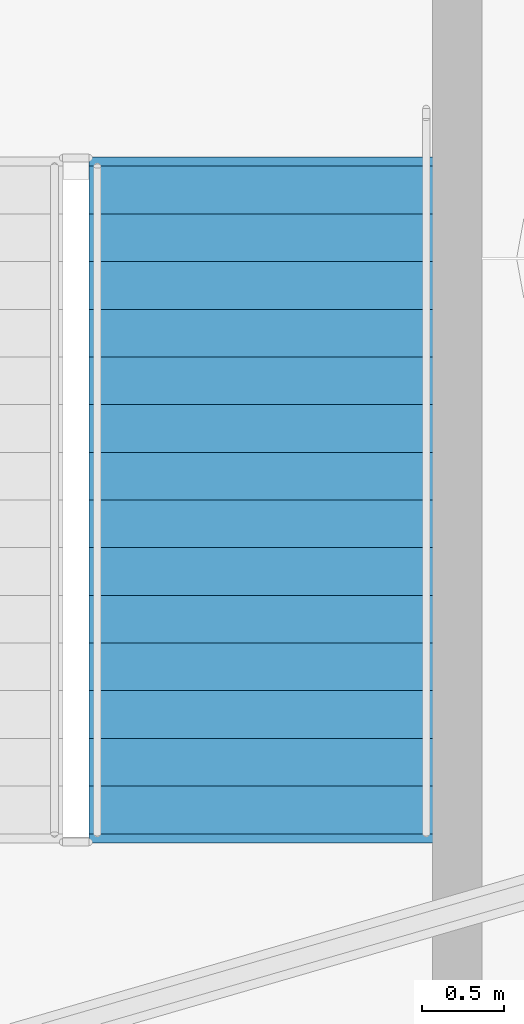
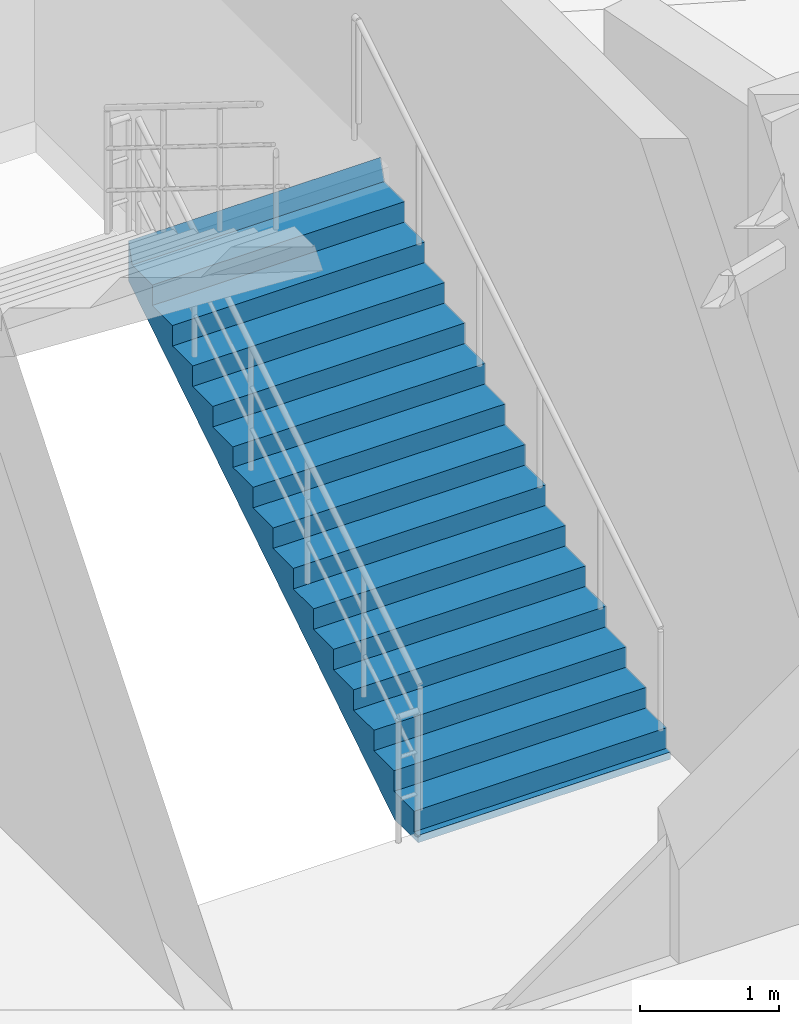
# One storey, part 69 of 93: 1 stair flight, 1 element without a shape of its own.
"""IFC4 building model written with IfcOpenShell, lengths in metres."""

from ifc_helpers import new_model, si_unit, direction, frame, origin, place, context, subcontext, project, spatial, polyline, outline, extrude, material, type_object, element, aggregate, save


model = new_model("IFC4")

# Units and contexts
model_context = context("Model", 3, precision=1e-05, world=origin(), true_north=direction((0.0, 1.0)))
body_context = subcontext(model_context, "Body", "Model", "MODEL_VIEW")
ifc_project = project(units=[si_unit("LENGTHUNIT", "METRE"), si_unit("AREAUNIT", "SQUARE_METRE"), si_unit("VOLUMEUNIT", "CUBIC_METRE"), si_unit("PLANEANGLEUNIT", "RADIAN"), si_unit("MASSUNIT", "GRAM", prefix="KILO")], contexts=[model_context])

# Site, building, storey
site_placement = place(None, origin())
site = spatial("IfcSite", under=ifc_project, at=site_placement, CompositionType="ELEMENT")
building_placement = place(site_placement, origin())
building = spatial("IfcBuilding", under=site, at=building_placement, Name="Cinderbank Siding Concert Hall", CompositionType="ELEMENT")
storey_placement = place(building_placement, origin())
storey = spatial("IfcBuildingStorey", under=building, at=storey_placement, Name="L01", CompositionType="ELEMENT", Elevation=0.0)

# Stair, stair flight
ifc_material = material(Name="Reinforced concrete AS 3600 N50 (50 MPa)", Category="concrete")
stair_type = type_object("IfcStairType", Name="STR-D Dogleg Exit Stair 2100mm", PredefinedType="HALF_TURN_STAIR", material=ifc_material)
stair_placement = place(storey_placement, origin())
stair = element("IfcStair", 1, at=stair_placement, inside=storey, type_object=stair_type, Name="L01 West Drum Exit Stair ST-04", PredefinedType="HALF_TURN_STAIR")
stair_flight_type = type_object("IfcStairFlightType", Name="SFL-D Concrete Stair Flight 2100mm", PredefinedType="STRAIGHT", material=ifc_material)
stair_flight_placement = place(storey_placement, frame((100.85009765625, 40.5, 0.0), z_axis=(0.0, 0.0, 1.0), x_axis=(0.0, 1.0, 0.0)))
stair_flight = element("IfcStairFlight", 2, at=stair_flight_placement, type_object=stair_flight_type, Name="ST-04 flight 1", NumberOfRisers=15, NumberOfTreads=14, PredefinedType="STRAIGHT", RiserHeight=0.18, TreadLength=0.29, context=body_context, shape_type="SweptSolid", body=[
    extrude(outline(polyline([(0.0, 0.0), (0.0, 0.179931640625), (0.2900390625, 0.179931640625), (0.2900390625, 0.360107421875), (0.580078125, 0.360107421875), (0.580078125, 0.5400390625), (0.8701171875, 0.5400390625), (0.8701171875, 0.719970703125), (1.159912109375, 0.719970703125), (1.159912109375, 0.89990234375), (1.449951171875, 0.89990234375), (1.449951171875, 1.080078125), (1.739990234375, 1.080078125), (1.739990234375, 1.260009765625), (2.030029296875, 1.260009765625), (2.030029296875, 1.43994140625), (2.320068359375, 1.43994140625), (2.320068359375, 1.6201171875), (2.610107421875, 1.6201171875), (2.610107421875, 1.800048828125), (2.89990234375, 1.800048828125), (2.89990234375, 1.97998046875), (3.18994140625, 1.97998046875), (3.18994140625, 2.159912109375), (3.47998046875, 2.159912109375), (3.47998046875, 2.340087890625), (3.77001953125, 2.340087890625), (3.77001953125, 2.52001953125), (4.06005859375, 2.52001953125), (4.114990234375, 2.699951171875), (4.114990234375, 2.343505859375), (4.11474609375, 2.34375), (4.11474609375, 2.343994140625), (4.11474609375, 2.34423828125), (4.11474609375, 2.344482421875), (4.11474609375, 2.3447265625), (4.11474609375, 2.344970703125), (4.11474609375, 2.34521484375), (4.11474609375, 2.345458984375), (4.11474609375, 2.345703125), (4.11474609375, 2.345947265625), (4.11474609375, 2.34619140625), (4.11474609375, 2.346435546875), (4.114501953125, 2.346435546875), (4.114501953125, 2.34619140625), (4.114501953125, 2.345947265625), (4.114501953125, 2.345703125), (4.114501953125, 2.345458984375), (4.114501953125, 2.34521484375), (4.114501953125, 2.344970703125), (4.114501953125, 2.3447265625), (4.114501953125, 2.344482421875), (4.114501953125, 2.34423828125), (4.114501953125, 2.343994140625), (4.114501953125, 2.34375), (4.114501953125, 2.343505859375), (4.1142578125, 2.34375), (4.1142578125, 2.343994140625), (4.1142578125, 2.34423828125), (4.1142578125, 2.344482421875), (4.1142578125, 2.3447265625), (4.1142578125, 2.344970703125), (4.1142578125, 2.34521484375), (4.1142578125, 2.345458984375), (4.1142578125, 2.345703125), (4.1142578125, 2.345947265625), (4.1142578125, 2.34619140625), (4.1142578125, 2.346435546875), (4.114013671875, 2.346435546875), (4.114013671875, 2.34619140625), (4.114013671875, 2.345947265625), (4.114013671875, 2.345703125), (4.114013671875, 2.345458984375), (4.114013671875, 2.34521484375), (4.114013671875, 2.344970703125), (4.114013671875, 2.3447265625), (4.114013671875, 2.344482421875), (4.114013671875, 2.34423828125), (4.114013671875, 2.343994140625), (4.114013671875, 2.34375), (4.114013671875, 2.343505859375), (4.11376953125, 2.34375), (4.11376953125, 2.343994140625), (4.11376953125, 2.34423828125), (4.11376953125, 2.344482421875), (4.11376953125, 2.3447265625), (4.11376953125, 2.344970703125), (4.11376953125, 2.34521484375), (4.11376953125, 2.345458984375), (4.11376953125, 2.345703125), (4.11376953125, 2.345947265625), (4.11376953125, 2.34619140625), (4.11376953125, 2.346435546875), (4.113525390625, 2.346435546875), (4.113525390625, 2.34619140625), (4.113525390625, 2.345947265625), (4.113525390625, 2.345703125), (4.113525390625, 2.345458984375), (4.113525390625, 2.34521484375), (4.113525390625, 2.344970703125), (4.113525390625, 2.3447265625), (4.113525390625, 2.344482421875), (4.113525390625, 2.34423828125), (4.113525390625, 2.343994140625), (4.113525390625, 2.34375), (4.113525390625, 2.343505859375), (4.11328125, 2.34375), (4.11328125, 2.343994140625), (4.11328125, 2.34423828125), (4.11328125, 2.344482421875), (4.11328125, 2.3447265625), (4.11328125, 2.344970703125), (4.11328125, 2.34521484375), (4.11328125, 2.345458984375), (4.11328125, 2.345703125), (4.11328125, 2.345947265625), (4.11328125, 2.34619140625), (4.11328125, 2.346435546875), (4.113037109375, 2.346435546875), (4.113037109375, 2.34619140625), (4.113037109375, 2.345947265625), (4.113037109375, 2.345703125), (4.113037109375, 2.345458984375), (4.113037109375, 2.34521484375), (4.113037109375, 2.344970703125), (4.113037109375, 2.3447265625), (4.113037109375, 2.344482421875), (4.113037109375, 2.34423828125), (4.113037109375, 2.343994140625), (4.113037109375, 2.34375), (4.113037109375, 2.343505859375), (4.11279296875, 2.34375), (4.11279296875, 2.343994140625), (4.11279296875, 2.34423828125), (4.11279296875, 2.344482421875), (4.11279296875, 2.3447265625), (4.11279296875, 2.344970703125), (4.11279296875, 2.34521484375), (4.11279296875, 2.345458984375), (4.11279296875, 2.345703125), (4.11279296875, 2.345947265625), (4.11279296875, 2.34619140625), (4.11279296875, 2.346435546875), (4.112548828125, 2.346435546875), (4.112548828125, 2.34619140625), (4.112548828125, 2.345947265625), (4.112548828125, 2.345703125), (4.112548828125, 2.345458984375), (4.112548828125, 2.34521484375), (4.112548828125, 2.344970703125), (4.112548828125, 2.3447265625), (4.112548828125, 2.344482421875), (4.112548828125, 2.34423828125), (4.112548828125, 2.343994140625), (4.112548828125, 2.34375), (4.112548828125, 2.343505859375), (4.1123046875, 2.34375), (4.1123046875, 2.343994140625), (4.1123046875, 2.34423828125), (4.1123046875, 2.344482421875), (4.1123046875, 2.3447265625), (4.1123046875, 2.344970703125), (4.1123046875, 2.34521484375), (4.1123046875, 2.345458984375), (4.1123046875, 2.345703125), (4.1123046875, 2.345947265625), (4.1123046875, 2.34619140625), (4.1123046875, 2.346435546875), (4.112060546875, 2.346435546875), (4.112060546875, 2.34619140625), (4.112060546875, 2.345947265625), (4.112060546875, 2.345703125), (4.112060546875, 2.345458984375), (4.112060546875, 2.34521484375), (4.112060546875, 2.344970703125), (4.112060546875, 2.3447265625), (4.112060546875, 2.344482421875), (4.112060546875, 2.34423828125), (4.112060546875, 2.343994140625), (4.112060546875, 2.34375), (4.112060546875, 2.343505859375), (4.11181640625, 2.34375), (4.11181640625, 2.343994140625), (4.11181640625, 2.34423828125), (4.11181640625, 2.344482421875), (4.11181640625, 2.3447265625), (4.11181640625, 2.344970703125), (4.11181640625, 2.34521484375), (4.11181640625, 2.345458984375), (4.11181640625, 2.345703125), (4.11181640625, 2.345947265625), (4.11181640625, 2.34619140625), (4.11181640625, 2.346435546875), (4.111572265625, 2.346435546875), (4.111572265625, 2.34619140625), (4.111572265625, 2.345947265625), (4.111572265625, 2.345703125), (4.111572265625, 2.345458984375), (4.111572265625, 2.34521484375), (4.111572265625, 2.344970703125), (4.111572265625, 2.3447265625), (4.111572265625, 2.344482421875), (4.111572265625, 2.34423828125), (4.111572265625, 2.343994140625), (4.111572265625, 2.34375), (4.111572265625, 2.343505859375), (4.111328125, 2.34375), (4.111328125, 2.343994140625), (4.111328125, 2.34423828125), (4.111328125, 2.344482421875), (4.111328125, 2.3447265625), (4.111328125, 2.344970703125), (4.111328125, 2.34521484375), (4.111328125, 2.345458984375), (4.111328125, 2.345703125), (4.111328125, 2.345947265625), (4.111328125, 2.34619140625), (4.111328125, 2.346435546875), (4.111083984375, 2.346435546875), (4.111083984375, 2.34619140625), (4.111083984375, 2.345947265625), (4.111083984375, 2.345703125), (4.111083984375, 2.345458984375), (4.111083984375, 2.34521484375), (4.111083984375, 2.344970703125), (4.111083984375, 2.3447265625), (4.111083984375, 2.344482421875), (4.111083984375, 2.34423828125), (4.111083984375, 2.343994140625), (4.111083984375, 2.34375), (4.111083984375, 2.343505859375), (4.11083984375, 2.34375), (4.11083984375, 2.343994140625), (4.11083984375, 2.34423828125), (4.11083984375, 2.344482421875), (4.11083984375, 2.3447265625), (4.11083984375, 2.344970703125), (4.11083984375, 2.34521484375), (4.11083984375, 2.345458984375), (4.11083984375, 2.345703125), (4.11083984375, 2.345947265625), (4.11083984375, 2.34619140625), (4.11083984375, 2.346435546875), (4.110595703125, 2.346435546875), (4.110595703125, 2.34619140625), (4.110595703125, 2.345947265625), (4.110595703125, 2.345703125), (4.110595703125, 2.345458984375), (4.110595703125, 2.34521484375), (4.110595703125, 2.344970703125), (4.110595703125, 2.3447265625), (4.110595703125, 2.344482421875), (4.110595703125, 2.34423828125), (4.110595703125, 2.343994140625), (4.110595703125, 2.34375), (4.110595703125, 2.343505859375), (4.1103515625, 2.34375), (4.1103515625, 2.343994140625), (4.1103515625, 2.34423828125), (4.1103515625, 2.344482421875), (4.1103515625, 2.3447265625), (4.1103515625, 2.344970703125), (4.1103515625, 2.34521484375), (4.1103515625, 2.345458984375), (4.1103515625, 2.345703125), (4.1103515625, 2.345947265625), (4.1103515625, 2.34619140625), (4.1103515625, 2.346435546875), (4.110107421875, 2.346435546875), (4.110107421875, 2.34619140625), (4.110107421875, 2.345947265625), (4.110107421875, 2.345703125), (4.110107421875, 2.345458984375), (4.110107421875, 2.34521484375), (4.110107421875, 2.344970703125), (4.110107421875, 2.3447265625), (4.110107421875, 2.344482421875), (4.110107421875, 2.34423828125), (4.110107421875, 2.343994140625), (4.110107421875, 2.34375), (4.110107421875, 2.343505859375), (4.10986328125, 2.34375), (4.10986328125, 2.343994140625), (4.10986328125, 2.34423828125), (4.10986328125, 2.344482421875), (4.10986328125, 2.3447265625), (4.10986328125, 2.344970703125), (4.10986328125, 2.34521484375), (4.10986328125, 2.345458984375), (4.10986328125, 2.345703125), (4.10986328125, 2.345947265625), (4.10986328125, 2.34619140625), (4.10986328125, 2.346435546875), (4.109619140625, 2.346435546875), (4.109619140625, 2.34619140625), (4.109619140625, 2.345947265625), (4.109619140625, 2.345703125), (4.109619140625, 2.345458984375), (4.109619140625, 2.34521484375), (4.109619140625, 2.344970703125), (4.109619140625, 2.3447265625), (4.109619140625, 2.344482421875), (4.109619140625, 2.34423828125), (4.109619140625, 2.343994140625), (4.109619140625, 2.34375), (4.109619140625, 2.343505859375), (4.109375, 2.34375), (4.109375, 2.343994140625), (4.109375, 2.34423828125), (4.109375, 2.344482421875), (4.109375, 2.3447265625), (4.109375, 2.344970703125), (4.109375, 2.34521484375), (4.109375, 2.345458984375), (4.109375, 2.345703125), (4.109375, 2.345947265625), (4.109375, 2.34619140625), (4.109375, 2.346435546875), (4.109130859375, 2.346435546875), (4.109130859375, 2.34619140625), (4.109130859375, 2.345947265625), (4.109130859375, 2.345703125), (4.109130859375, 2.345458984375), (4.109130859375, 2.34521484375), (4.109130859375, 2.344970703125), (4.109130859375, 2.3447265625), (4.109130859375, 2.344482421875), (4.109130859375, 2.34423828125), (4.109130859375, 2.343994140625), (4.109130859375, 2.34375), (4.109130859375, 2.343505859375), (4.10888671875, 2.34375), (4.10888671875, 2.343994140625), (4.10888671875, 2.34423828125), (4.10888671875, 2.344482421875), (4.10888671875, 2.3447265625), (4.10888671875, 2.344970703125), (4.10888671875, 2.34521484375), (4.10888671875, 2.345458984375), (4.10888671875, 2.345703125), (4.10888671875, 2.345947265625), (4.10888671875, 2.34619140625), (4.10888671875, 2.346435546875), (4.108642578125, 2.346435546875), (4.108642578125, 2.34619140625), (4.108642578125, 2.345947265625), (4.108642578125, 2.345703125), (4.108642578125, 2.345458984375), (4.108642578125, 2.34521484375), (4.108642578125, 2.344970703125), (4.108642578125, 2.3447265625), (4.108642578125, 2.344482421875), (4.108642578125, 2.34423828125), (4.108642578125, 2.343994140625), (4.108642578125, 2.34375), (4.108642578125, 2.343505859375), (0.2841796875, -0.06396484375), (-0.048583984375, -0.063720703125), (-0.048583984375, -0.0634765625), (-0.048583984375, -0.063232421875), (-0.048583984375, -0.06298828125), (-0.048583984375, -0.062744140625), (-0.048583984375, -0.0625), (-0.048583984375, -0.062255859375), (-0.048583984375, -0.06201171875), (-0.048583984375, -0.061767578125), (-0.048583984375, -0.0615234375), (-0.048583984375, -0.061279296875), (-0.048583984375, -0.06103515625), (-0.048828125, -0.06103515625), (-0.048828125, -0.061279296875), (-0.048828125, -0.0615234375), (-0.048828125, -0.061767578125), (-0.048828125, -0.06201171875), (-0.048828125, -0.062255859375), (-0.048828125, -0.0625), (-0.048828125, -0.062744140625), (-0.048828125, -0.06298828125), (-0.048828125, -0.063232421875), (-0.048828125, -0.0634765625), (-0.048828125, -0.063720703125), (-0.048828125, -0.06396484375), (-0.049072265625, -0.063720703125), (-0.049072265625, -0.0634765625), (-0.049072265625, -0.063232421875), (-0.049072265625, -0.06298828125), (-0.049072265625, -0.062744140625), (-0.049072265625, -0.0625), (-0.049072265625, -0.062255859375), (-0.049072265625, -0.06201171875), (-0.049072265625, -0.061767578125), (-0.049072265625, -0.0615234375), (-0.049072265625, -0.061279296875), (-0.049072265625, -0.06103515625), (-0.04931640625, -0.06103515625), (-0.04931640625, -0.061279296875), (-0.04931640625, -0.0615234375), (-0.04931640625, -0.061767578125), (-0.04931640625, -0.06201171875), (-0.04931640625, -0.062255859375), (-0.04931640625, -0.0625), (-0.04931640625, -0.062744140625), (-0.04931640625, -0.06298828125), (-0.04931640625, -0.063232421875), (-0.04931640625, -0.0634765625), (-0.04931640625, -0.063720703125), (-0.04931640625, -0.06396484375), (-0.049560546875, -0.063720703125), (-0.049560546875, -0.0634765625), (-0.049560546875, -0.063232421875), (-0.049560546875, -0.06298828125), (-0.049560546875, -0.062744140625), (-0.049560546875, -0.0625), (-0.049560546875, -0.062255859375), (-0.049560546875, -0.06201171875), (-0.049560546875, -0.061767578125), (-0.049560546875, -0.0615234375), (-0.049560546875, -0.061279296875), (-0.049560546875, -0.06103515625), (-0.0498046875, -0.06103515625), (-0.0498046875, -0.061279296875), (-0.0498046875, -0.0615234375), (-0.0498046875, -0.061767578125), (-0.0498046875, -0.06201171875), (-0.0498046875, -0.062255859375), (-0.0498046875, -0.0625), (-0.0498046875, -0.062744140625), (-0.0498046875, -0.06298828125), (-0.0498046875, -0.063232421875), (-0.0498046875, -0.0634765625), (-0.0498046875, -0.063720703125), (-0.0498046875, -0.06396484375), (-0.050048828125, -0.063720703125), (-0.050048828125, -0.0634765625), (-0.050048828125, -0.063232421875), (-0.050048828125, -0.06298828125), (-0.050048828125, -0.062744140625), (-0.050048828125, -0.0625), (-0.050048828125, -0.062255859375), (-0.050048828125, -0.06201171875), (-0.050048828125, -0.061767578125), (-0.050048828125, -0.0615234375), (-0.050048828125, -0.061279296875), (-0.050048828125, -0.06103515625), (-0.05029296875, -0.06103515625), (-0.05029296875, -0.061279296875), (-0.05029296875, -0.0615234375), (-0.05029296875, -0.061767578125), (-0.05029296875, -0.06201171875), (-0.05029296875, -0.062255859375), (-0.05029296875, -0.0625), (-0.05029296875, -0.062744140625), (-0.05029296875, -0.06298828125), (-0.05029296875, -0.063232421875), (-0.05029296875, -0.0634765625), (-0.05029296875, -0.063720703125), (-0.05029296875, -0.06396484375), (-0.050537109375, -0.063720703125), (-0.050537109375, -0.0634765625), (-0.050537109375, -0.063232421875), (-0.050537109375, -0.06298828125), (-0.050537109375, -0.062744140625), (-0.050537109375, -0.0625), (-0.050537109375, -0.062255859375), (-0.050537109375, -0.06201171875), (-0.050537109375, -0.061767578125), (-0.050537109375, -0.0615234375), (-0.050537109375, -0.061279296875), (-0.050537109375, -0.06103515625), (-0.05078125, -0.06103515625), (-0.05078125, -0.061279296875), (-0.05078125, -0.0615234375), (-0.05078125, -0.061767578125), (-0.05078125, -0.06201171875), (-0.05078125, -0.062255859375), (-0.05078125, -0.0625), (-0.05078125, -0.062744140625), (-0.05078125, -0.06298828125), (-0.05078125, -0.063232421875), (-0.05078125, -0.0634765625), (-0.05078125, -0.063720703125), (-0.05078125, -0.06396484375), (-0.051025390625, -0.063720703125), (-0.051025390625, -0.0634765625), (-0.051025390625, -0.063232421875), (-0.051025390625, -0.06298828125), (-0.051025390625, -0.062744140625), (-0.051025390625, -0.0625), (-0.051025390625, -0.062255859375), (-0.051025390625, -0.06201171875), (-0.051025390625, -0.061767578125), (-0.051025390625, -0.0615234375), (-0.051025390625, -0.061279296875), (-0.051025390625, -0.06103515625), (-0.05126953125, -0.06103515625), (-0.05126953125, -0.061279296875), (-0.05126953125, -0.0615234375), (-0.05126953125, -0.061767578125), (-0.05126953125, -0.06201171875), (-0.05126953125, -0.062255859375), (-0.05126953125, -0.0625), (-0.05126953125, -0.062744140625), (-0.05126953125, -0.06298828125), (-0.05126953125, -0.063232421875), (-0.05126953125, -0.0634765625), (-0.05126953125, -0.063720703125), (-0.05126953125, -0.06396484375), (-0.051513671875, -0.063720703125), (-0.051513671875, -0.0634765625), (-0.051513671875, -0.063232421875), (-0.051513671875, -0.06298828125), (-0.051513671875, -0.062744140625), (-0.051513671875, -0.0625), (-0.051513671875, -0.062255859375), (-0.051513671875, -0.06201171875), (-0.051513671875, -0.061767578125), (-0.051513671875, -0.0615234375), (-0.051513671875, -0.061279296875), (-0.051513671875, -0.06103515625), (-0.0517578125, -0.06103515625), (-0.0517578125, -0.061279296875), (-0.0517578125, -0.0615234375), (-0.0517578125, -0.061767578125), (-0.0517578125, -0.06201171875), (-0.0517578125, -0.062255859375), (-0.0517578125, -0.0625), (-0.0517578125, -0.062744140625), (-0.0517578125, -0.06298828125), (-0.0517578125, -0.063232421875), (-0.0517578125, -0.0634765625), (-0.0517578125, -0.063720703125), (-0.0517578125, -0.06396484375), (-0.052001953125, -0.063720703125), (-0.052001953125, -0.0634765625), (-0.052001953125, -0.063232421875), (-0.052001953125, -0.06298828125), (-0.052001953125, -0.062744140625), (-0.052001953125, -0.0625), (-0.052001953125, -0.062255859375), (-0.052001953125, -0.06201171875), (-0.052001953125, -0.061767578125), (-0.052001953125, -0.0615234375), (-0.052001953125, -0.061279296875), (-0.052001953125, -0.06103515625), (-0.05224609375, -0.06103515625), (-0.05224609375, -0.061279296875), (-0.05224609375, -0.0615234375), (-0.05224609375, -0.061767578125), (-0.05224609375, -0.06201171875), (-0.05224609375, -0.062255859375), (-0.05224609375, -0.0625), (-0.05224609375, -0.062744140625), (-0.05224609375, -0.06298828125), (-0.05224609375, -0.063232421875), (-0.05224609375, -0.0634765625), (-0.05224609375, -0.063720703125), (-0.05224609375, -0.06396484375), (-0.052490234375, -0.063720703125), (-0.052490234375, -0.0634765625), (-0.052490234375, -0.063232421875), (-0.052490234375, -0.06298828125), (-0.052490234375, -0.062744140625), (-0.052490234375, -0.0625), (-0.052490234375, -0.062255859375), (-0.052490234375, -0.06201171875), (-0.052490234375, -0.061767578125), (-0.052490234375, -0.0615234375), (-0.052490234375, -0.061279296875), (-0.052490234375, -0.06103515625), (-0.052734375, -0.06103515625), (-0.052734375, -0.061279296875), (-0.052734375, -0.0615234375), (-0.052734375, -0.061767578125), (-0.052734375, -0.06201171875), (-0.052734375, -0.062255859375), (-0.052734375, -0.0625), (-0.052734375, -0.062744140625), (-0.052734375, -0.06298828125), (-0.052734375, -0.063232421875), (-0.052734375, -0.0634765625), (-0.052734375, -0.063720703125), (-0.052734375, -0.06396484375), (-0.052978515625, -0.063720703125), (-0.052978515625, -0.0634765625), (-0.052978515625, -0.063232421875), (-0.052978515625, -0.06298828125), (-0.052978515625, -0.062744140625), (-0.052978515625, -0.0625), (-0.052978515625, -0.062255859375), (-0.052978515625, -0.06201171875), (-0.052978515625, -0.061767578125), (-0.052978515625, -0.0615234375), (-0.052978515625, -0.061279296875), (-0.052978515625, -0.06103515625), (-0.05322265625, -0.06103515625), (-0.05322265625, -0.061279296875), (-0.05322265625, -0.0615234375), (-0.05322265625, -0.061767578125), (-0.05322265625, -0.06201171875), (-0.05322265625, -0.062255859375), (-0.05322265625, -0.0625), (-0.05322265625, -0.062744140625), (-0.05322265625, -0.06298828125), (-0.05322265625, -0.063232421875), (-0.05322265625, -0.0634765625), (-0.05322265625, -0.063720703125), (-0.05322265625, -0.06396484375), (-0.053466796875, -0.063720703125), (-0.053466796875, -0.0634765625), (-0.053466796875, -0.063232421875), (-0.053466796875, -0.06298828125), (-0.053466796875, -0.062744140625), (-0.053466796875, -0.0625), (-0.053466796875, -0.062255859375), (-0.053466796875, -0.06201171875), (-0.053466796875, -0.061767578125), (-0.053466796875, -0.0615234375), (-0.053466796875, -0.061279296875), (-0.053466796875, -0.06103515625), (-0.0537109375, -0.06103515625), (-0.0537109375, -0.061279296875), (-0.0537109375, -0.0615234375), (-0.0537109375, -0.061767578125), (-0.0537109375, -0.06201171875), (-0.0537109375, -0.062255859375), (-0.0537109375, -0.0625), (-0.0537109375, -0.062744140625), (-0.0537109375, -0.06298828125), (-0.0537109375, -0.063232421875), (-0.0537109375, -0.0634765625), (-0.0537109375, -0.063720703125), (-0.0537109375, -0.06396484375), (-0.053955078125, -0.063720703125), (-0.053955078125, -0.0634765625), (-0.053955078125, -0.063232421875), (-0.053955078125, -0.06298828125), (-0.053955078125, -0.062744140625), (-0.053955078125, -0.0625), (-0.053955078125, -0.062255859375), (-0.053955078125, -0.06201171875), (-0.053955078125, -0.061767578125), (-0.053955078125, -0.0615234375), (-0.053955078125, -0.061279296875), (-0.053955078125, -0.06103515625), (-0.05419921875, -0.06103515625), (-0.05419921875, -0.061279296875), (-0.05419921875, -0.0615234375), (-0.05419921875, -0.061767578125), (-0.05419921875, -0.06201171875), (-0.05419921875, -0.062255859375), (-0.05419921875, -0.0625), (-0.05419921875, -0.062744140625), (-0.05419921875, -0.06298828125), (-0.05419921875, -0.063232421875), (-0.05419921875, -0.0634765625), (-0.05419921875, -0.063720703125), (-0.05419921875, -0.06396484375), (-0.054443359375, -0.063720703125), (-0.054443359375, -0.0634765625), (-0.054443359375, -0.063232421875), (-0.054443359375, -0.06298828125), (-0.054443359375, -0.062744140625), (-0.054443359375, -0.0625), (-0.054443359375, -0.062255859375), (-0.054443359375, -0.06201171875), (-0.054443359375, -0.061767578125), (-0.054443359375, -0.0615234375), (-0.054443359375, -0.061279296875), (-0.054443359375, -0.06103515625), (-0.0546875, -0.06103515625), (-0.0546875, -0.061279296875), (-0.0546875, -0.0615234375), (-0.0546875, -0.061767578125), (-0.0546875, -0.06201171875), (-0.0546875, -0.062255859375), (-0.0546875, -0.0625), (-0.0546875, -0.062744140625), (-0.0546875, -0.06298828125), (-0.0546875, -0.063232421875), (-0.0546875, -0.0634765625), (-0.0546875, -0.063720703125), (-0.0546875, -0.06396484375), (-0.054931640625, -0.06396484375), (-0.054931640625, 0.0), (0.0, 0.0)])), frame((0.0, 1.050048828125, 0.0), z_axis=(0.0, -1.0, 0.0), x_axis=(1.0, 0.0, 0.0)), (0.0, 0.0, 1.0), 2.10009765625),
])
aggregate(stair, [stair_flight])

save(model, "model.ifc")
